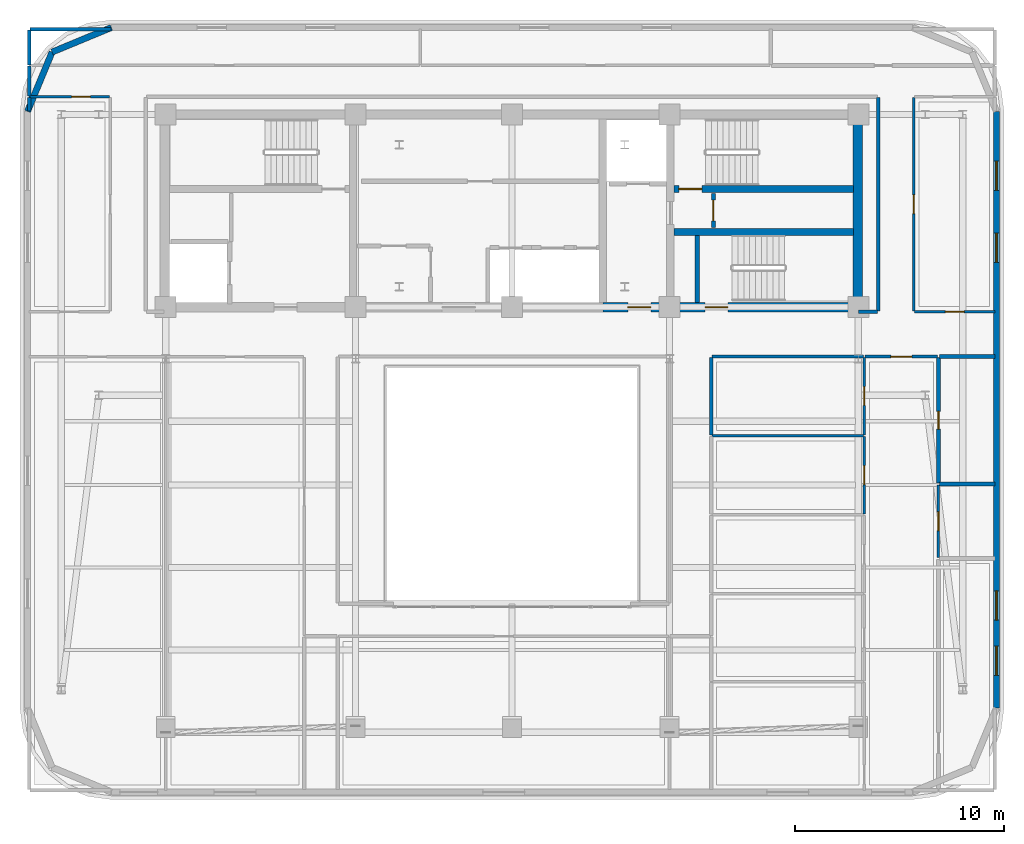
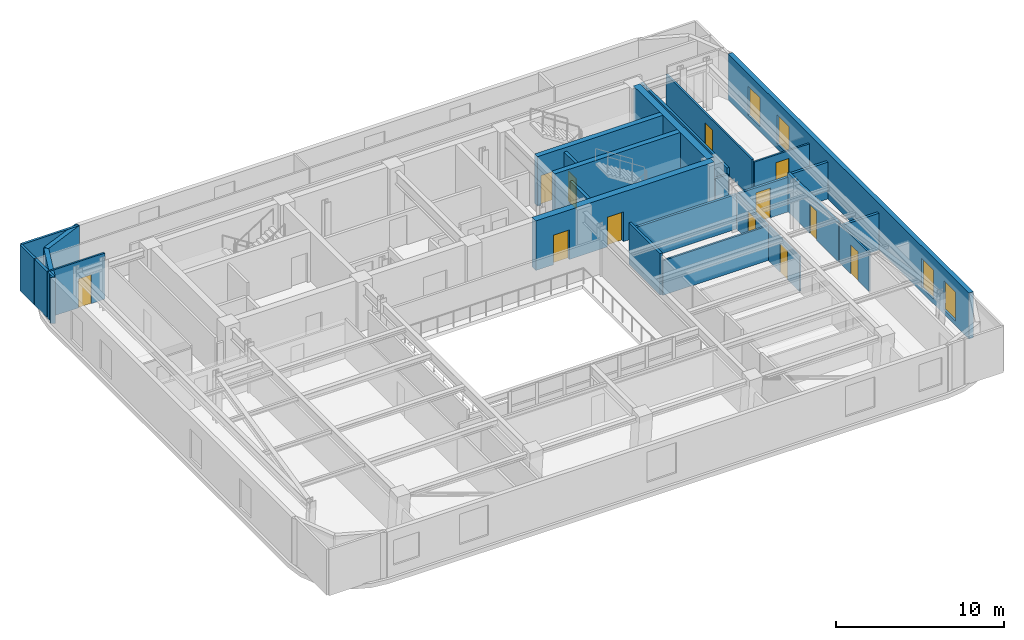
# One storey, part 8 of 13: 28 walls, 12 doors, 4 windows, 16 openings.
"""IFC4 building model written with IfcOpenShell, lengths in metres."""

from ifc_helpers import new_model, si_unit, direction, frame, frame_2d, origin, place, context, subcontext, project, spatial, rectangle, extrude, material, layer, layer_set, type_object, element, fill, save


model = new_model("IFC4")

# Units and contexts
model_context = context("Model", 3, precision=1e-05, world=origin(), true_north=direction((0.0, 1.0)))
body_context = subcontext(model_context, "Body", "Model", "MODEL_VIEW")
ifc_project = project(units=[si_unit("LENGTHUNIT", "METRE"), si_unit("AREAUNIT", "SQUARE_METRE"), si_unit("VOLUMEUNIT", "CUBIC_METRE"), si_unit("PLANEANGLEUNIT", "RADIAN"), si_unit("MASSUNIT", "GRAM", prefix="KILO")], contexts=[model_context])

# Site, building, storey
site_placement = place(None, origin())
site = spatial("IfcSite", under=ifc_project, at=site_placement, CompositionType="ELEMENT")
building_placement = place(site_placement, origin())
building = spatial("IfcBuilding", under=site, at=building_placement, Name="Zarnavel Station Tower", CompositionType="ELEMENT")
storey_placement = place(building_placement, frame((0.0, 0.0, 204.0)))
storey = spatial("IfcBuildingStorey", under=building, at=storey_placement, Name="L55", CompositionType="ELEMENT", Elevation=204.0)

# Wall, opening, door
ifc_material_1 = material(Name="Concrete C50/60", Category="concrete")
ifc_layer_1 = layer(ifc_material_1, 0.35009765625)
ifc_layer_set_1 = layer_set([ifc_layer_1], Name="CW_350")
wall_type_1 = type_object("IfcWallType", Name="CW_350", PredefinedType="SHEAR", material=ifc_layer_set_1)
wall_1_placement = place(storey_placement, frame((45.155029296875, 33.47998046875, 0.0), z_axis=(0.0, 0.0, 1.0), x_axis=(-1.0, 0.0, 0.0)))
wall_1 = element("IfcWall", 1, at=wall_1_placement, inside=storey, type_object=wall_type_1, Name="L55 Rear Core Shear Wall DIV-H2", PredefinedType="SHEAR", context=body_context, shape_type="SweptSolid", body=[
    extrude(rectangle(XDim=8.60009765625, YDim=0.35009765625, at=frame_2d((4.300048828125, 0.0))), origin(), (0.0, 0.0, 1.0), 3.60009765625),
])
opening_1_placement = place(wall_1_placement, frame((7.2548828125, 0.0, 0.0)))
opening_1 = element("IfcOpeningElement", 2, at=opening_1_placement, cuts=wall_1, Name="Opening FD01", PredefinedType="OPENING", context=body_context, shape_type="SweptSolid", body=[
    extrude(rectangle(XDim=1.10009765625, YDim=2.14990234375, at=frame_2d((0.550048828125, 1.074951171875))), frame((0.0, 0.18505859375, 0.0), z_axis=(0.0, -1.0, 0.0), x_axis=(1.0, 0.0, 0.0)), (0.0, 0.0, 1.0), 0.3701171875),
])
ifc_material_2 = material(Name="Painted Galvanised Steel and Hardwood Leaf", Category="steel")
door_type_1 = type_object("IfcDoorType", Name="ID_STAIR_1100", OperationType="NOTDEFINED", PredefinedType="DOOR", material=ifc_material_2)
door_1_placement = place(opening_1_placement, origin())
door_1 = element("IfcDoor", 3, at=door_1_placement, inside=storey, type_object=door_type_1, Name="L55 Stair ST2 Lobby Fire Door", OperationType="SINGLE_SWING_RIGHT", OverallHeight=2.14990234375, OverallWidth=1.10009765625, PredefinedType="DOOR", context=body_context, shape_type="SweptSolid", body=[
    extrude(rectangle(XDim=1.10009765625, YDim=2.14990234375, at=frame_2d((0.550048828125, 1.074951171875))), frame((0.0, 0.02490234375, 0.0), z_axis=(0.0, -1.0, 0.0), x_axis=(1.0, 0.0, 0.0)), (0.0, 0.0, 1.0), 0.050048828125),
])
fill(opening_1, door_1)

# Wall
wall_2_placement = place(storey_placement, frame((36.554931640625, 31.419921875, 0.0), z_axis=(0.0, 0.0, 1.0), x_axis=(1.0, 0.0, 0.0)))
element("IfcWall", 4, at=wall_2_placement, inside=storey, type_object=wall_type_1, Name="L55 Rear Core Shear Wall DIV-H3", PredefinedType="SHEAR", context=body_context, shape_type="SweptSolid", body=[
    extrude(rectangle(XDim=8.60009765625, YDim=0.35009765625, at=frame_2d((4.300048828125, 0.0))), origin(), (0.0, 0.0, 1.0), 3.60009765625),
])

# Wall, openings, doors
ifc_material_3 = material(Name="Concrete C50/60", Category="concrete")
ifc_layer_2 = layer(ifc_material_3, 0.449951171875)
ifc_layer_set_2 = layer_set([ifc_layer_2], Name="CW_450")
wall_type_2 = type_object("IfcWallType", Name="CW_450", PredefinedType="SHEAR", material=ifc_layer_set_2)
wall_3_placement = place(storey_placement, frame((45.3798828125, 27.820068359375, 0.0), z_axis=(0.0, 0.0, 1.0), x_axis=(-1.0, 0.0, 0.0)))
wall_3 = element("IfcWall", 5, at=wall_3_placement, inside=storey, type_object=wall_type_2, Name="L55 Rear Core Shear Wall S-E", PredefinedType="SHEAR", context=body_context, shape_type="SweptSolid", body=[
    extrude(rectangle(XDim=12.22998046875, YDim=0.449951171875, at=frame_2d((6.114990234375, 0.0))), origin(), (0.0, 0.0, 1.0), 3.60009765625),
])
opening_2_placement = place(wall_3_placement, frame((9.929931640625, 0.0, 0.0)))
opening_2 = element("IfcOpeningElement", 6, at=opening_2_placement, cuts=wall_3, Name="Opening FD01", PredefinedType="OPENING", context=body_context, shape_type="SweptSolid", body=[
    extrude(rectangle(XDim=1.10009765625, YDim=2.14990234375, at=frame_2d((0.550048828125, 1.074951171875))), frame((0.0, 0.23486328125, 0.0), z_axis=(0.0, -1.0, 0.0), x_axis=(1.0, 0.0, 0.0)), (0.0, 0.0, 1.0), 0.469970703125),
])
opening_3_placement = place(wall_3_placement, frame((6.22998046875, 0.0, 0.0)))
opening_3 = element("IfcOpeningElement", 7, at=opening_3_placement, cuts=wall_3, Name="Opening FD01", PredefinedType="OPENING", context=body_context, shape_type="SweptSolid", body=[
    extrude(rectangle(XDim=1.10009765625, YDim=2.14990234375, at=frame_2d((0.550048828125, 1.074951171875))), frame((0.0, 0.23486328125, 0.0), z_axis=(0.0, -1.0, 0.0), x_axis=(1.0, 0.0, 0.0)), (0.0, 0.0, 1.0), 0.469970703125),
])
door_2_placement = place(opening_2_placement, origin())
door_2 = element("IfcDoor", 8, at=door_2_placement, inside=storey, type_object=door_type_1, Name="L55 East Firefighting Lobby Door", OperationType="SINGLE_SWING_LEFT", OverallHeight=2.14990234375, OverallWidth=1.10009765625, PredefinedType="DOOR", context=body_context, shape_type="SweptSolid", body=[
    extrude(rectangle(XDim=1.10009765625, YDim=2.14990234375, at=frame_2d((0.550048828125, 1.074951171875))), frame((0.0, 0.02490234375, 0.0), z_axis=(0.0, -1.0, 0.0), x_axis=(1.0, 0.0, 0.0)), (0.0, 0.0, 1.0), 0.050048828125),
])
fill(opening_2, door_2)
door_3_placement = place(opening_3_placement, origin())
door_3 = element("IfcDoor", 9, at=door_3_placement, inside=storey, type_object=door_type_1, Name="L55 Stair ST3 Corridor Fire Door", OperationType="SINGLE_SWING_RIGHT", OverallHeight=2.14990234375, OverallWidth=1.10009765625, PredefinedType="DOOR", context=body_context, shape_type="SweptSolid", body=[
    extrude(rectangle(XDim=1.10009765625, YDim=2.14990234375, at=frame_2d((0.550048828125, 1.074951171875))), frame((0.0, 0.02490234375, 0.0), z_axis=(0.0, -1.0, 0.0), x_axis=(1.0, 0.0, 0.0)), (0.0, 0.0, 1.0), 0.050048828125),
])
fill(opening_3, door_3)

# Wall
wall_4_placement = place(storey_placement, frame((45.3798828125, 28.044921875, 0.0), z_axis=(0.0, 0.0, 1.0), x_axis=(0.0, 1.0, 0.0)))
element("IfcWall", 10, at=wall_4_placement, inside=storey, type_object=wall_type_2, Name="L55 Rear Core Shear Wall E", PredefinedType="SHEAR", context=body_context, shape_type="SweptSolid", body=[
    extrude(rectangle(XDim=8.780029296875, YDim=0.449951171875, at=frame_2d((4.39013671875, 0.0))), origin(), (0.0, 0.0, 1.0), 3.60009765625),
])

# Wall, openings, windows
ifc_material_4 = material(Name="Precast concrete C45/55 (Dark Basalt Finish)", Category="masonry")
ifc_layer_3 = layer(ifc_material_4, 0.300048828125)
ifc_layer_set_3 = layer_set([ifc_layer_3], Name="EW_BASALT_300")
wall_type_3 = type_object("IfcWallType", Name="EW_BASALT_300", PredefinedType="SOLIDWALL", material=ifc_layer_set_3)
wall_5_placement = place(storey_placement, frame((52.02001953125, 37.199951171875, 0.0), z_axis=(0.0, 0.0, 1.0), x_axis=(0.0, -1.0, 0.0)))
wall_5 = element("IfcWall", 11, at=wall_5_placement, inside=storey, type_object=wall_type_3, Name="L55 Exterior Basalt Masonry Frame Wall 03", PredefinedType="SOLIDWALL", context=body_context, shape_type="SweptSolid", body=[
    extrude(rectangle(XDim=28.599853515625, YDim=0.300048828125, at=frame_2d((14.2998046875, 0.0))), origin(), (0.0, 0.0, 1.0), 3.340087890625),
])
opening_4_placement = place(wall_5_placement, frame((2.3798828125, 0.0, 0.340087890625)))
opening_4 = element("IfcOpeningElement", 12, at=opening_4_placement, cuts=wall_5, Name="Opening WN04", PredefinedType="OPENING", context=body_context, shape_type="SweptSolid", body=[
    extrude(rectangle(XDim=1.39990234375, YDim=2.10009765625, at=frame_2d((0.699951171875, 1.050048828125))), frame((0.0, 0.159912109375, 0.0), z_axis=(0.0, -1.0, 0.0), x_axis=(1.0, 0.0, 0.0)), (0.0, 0.0, 1.0), 0.320068359375),
])
opening_5_placement = place(wall_5_placement, frame((5.840087890625, 0.0, 0.340087890625)))
opening_5 = element("IfcOpeningElement", 13, at=opening_5_placement, cuts=wall_5, Name="Opening WN04", PredefinedType="OPENING", context=body_context, shape_type="SweptSolid", body=[
    extrude(rectangle(XDim=1.39990234375, YDim=2.10009765625, at=frame_2d((0.699951171875, 1.050048828125))), frame((0.0, 0.159912109375, 0.0), z_axis=(0.0, -1.0, 0.0), x_axis=(1.0, 0.0, 0.0)), (0.0, 0.0, 1.0), 0.320068359375),
])
opening_6_placement = place(wall_5_placement, frame((22.979248046875, 0.0, 0.340087890625)))
opening_6 = element("IfcOpeningElement", 14, at=opening_6_placement, cuts=wall_5, Name="Opening WN04", PredefinedType="OPENING", context=body_context, shape_type="SweptSolid", body=[
    extrude(rectangle(XDim=1.39990234375, YDim=2.10009765625, at=frame_2d((0.699951171875, 1.050048828125))), frame((0.0, 0.159912109375, 0.0), z_axis=(0.0, -1.0, 0.0), x_axis=(1.0, 0.0, 0.0)), (0.0, 0.0, 1.0), 0.320068359375),
])
opening_7_placement = place(wall_5_placement, frame((25.629638671875, 0.0, 0.340087890625)))
opening_7 = element("IfcOpeningElement", 15, at=opening_7_placement, cuts=wall_5, Name="Opening WN04", PredefinedType="OPENING", context=body_context, shape_type="SweptSolid", body=[
    extrude(rectangle(XDim=1.39990234375, YDim=2.10009765625, at=frame_2d((0.699951171875, 1.050048828125))), frame((0.0, 0.159912109375, 0.0), z_axis=(0.0, -1.0, 0.0), x_axis=(1.0, 0.0, 0.0)), (0.0, 0.0, 1.0), 0.320068359375),
])
ifc_material_5 = material(Name="Thermally Broken Black Aluminium and Low-E Dark Glass", Category="aluminium")
window_type = type_object("IfcWindowType", Name="WN_1400x2100", PartitioningType="DOUBLE_PANEL_VERTICAL", PredefinedType="WINDOW", material=ifc_material_5)
window_1_placement = place(opening_4_placement, origin())
window_1 = element("IfcWindow", 16, at=window_1_placement, inside=storey, type_object=window_type, Name="L55 Recessed Facade Window 01", OverallHeight=2.10009765625, OverallWidth=1.39990234375, PartitioningType="SINGLE_PANEL", PredefinedType="WINDOW", context=body_context, shape_type="SweptSolid", body=[
    extrude(rectangle(XDim=1.39990234375, YDim=2.10009765625, at=frame_2d((0.699951171875, 1.050048828125))), frame((0.0, 0.030029296875, 0.0), z_axis=(0.0, -1.0, 0.0), x_axis=(1.0, 0.0, 0.0)), (0.0, 0.0, 1.0), 0.06005859375),
])
fill(opening_4, window_1)
window_2_placement = place(opening_5_placement, origin())
window_2 = element("IfcWindow", 17, at=window_2_placement, inside=storey, type_object=window_type, Name="L55 Recessed Facade Window 02", OverallHeight=2.10009765625, OverallWidth=1.39990234375, PartitioningType="SINGLE_PANEL", PredefinedType="WINDOW", context=body_context, shape_type="SweptSolid", body=[
    extrude(rectangle(XDim=1.39990234375, YDim=2.10009765625, at=frame_2d((0.699951171875, 1.050048828125))), frame((0.0, 0.030029296875, 0.0), z_axis=(0.0, -1.0, 0.0), x_axis=(1.0, 0.0, 0.0)), (0.0, 0.0, 1.0), 0.06005859375),
])
fill(opening_5, window_2)
window_3_placement = place(opening_6_placement, origin())
window_3 = element("IfcWindow", 18, at=window_3_placement, inside=storey, type_object=window_type, Name="L55 Recessed Facade Window 03", OverallHeight=2.10009765625, OverallWidth=1.39990234375, PartitioningType="SINGLE_PANEL", PredefinedType="WINDOW", context=body_context, shape_type="SweptSolid", body=[
    extrude(rectangle(XDim=1.39990234375, YDim=2.10009765625, at=frame_2d((0.699951171875, 1.050048828125))), frame((0.0, 0.030029296875, 0.0), z_axis=(0.0, -1.0, 0.0), x_axis=(1.0, 0.0, 0.0)), (0.0, 0.0, 1.0), 0.06005859375),
])
fill(opening_6, window_3)
window_4_placement = place(opening_7_placement, origin())
window_4 = element("IfcWindow", 19, at=window_4_placement, inside=storey, type_object=window_type, Name="L55 Recessed Facade Window 04", OverallHeight=2.10009765625, OverallWidth=1.39990234375, PartitioningType="SINGLE_PANEL", PredefinedType="WINDOW", context=body_context, shape_type="SweptSolid", body=[
    extrude(rectangle(XDim=1.39990234375, YDim=2.10009765625, at=frame_2d((0.699951171875, 1.050048828125))), frame((0.0, 0.030029296875, 0.0), z_axis=(0.0, -1.0, 0.0), x_axis=(1.0, 0.0, 0.0)), (0.0, 0.0, 1.0), 0.06005859375),
])
fill(opening_7, window_4)

# Walls
wall_6_placement = place(storey_placement, frame((6.75732421875, 40.04248046875, 0.0), z_axis=(0.0, 0.0, 1.0), x_axis=(0.923882414032, 0.382676475685, 0.0)))
element("IfcWall", 20, at=wall_6_placement, inside=storey, type_object=wall_type_3, Name="L55 Exterior Basalt Masonry Frame Wall 07", PredefinedType="SOLIDWALL", context=body_context, shape_type="SweptSolid", body=[
    extrude(rectangle(XDim=3.076904296875, YDim=0.300048828125, at=frame_2d((1.53857421875, 0.0))), origin(), (0.0, 0.0, 1.0), 3.340087890625),
])
wall_7_placement = place(storey_placement, frame((5.580078125, 37.199951171875, 0.0), z_axis=(0.0, 0.0, 1.0), x_axis=(0.382636798336, 0.92389884758, 0.0)))
element("IfcWall", 21, at=wall_7_placement, inside=storey, type_object=wall_type_3, Name="L55 Exterior Basalt Masonry Frame Wall 08", PredefinedType="SOLIDWALL", context=body_context, shape_type="SweptSolid", body=[
    extrude(rectangle(XDim=3.07666015625, YDim=0.300048828125, at=frame_2d((1.538330078125, 0.0))), origin(), (0.0, 0.0, 1.0), 3.340087890625),
])

# Wall, opening, door
ifc_material_6 = material(Name="Gypsum Twin-Stud Acoustic Fire Partition", Category="concrete")
ifc_layer_4 = layer(ifc_material_6, 0.159912109375)
ifc_layer_set_4 = layer_set([ifc_layer_4], Name="PT_DEMISE_160")
wall_type_4 = type_object("IfcWallType", Name="PT_DEMISE_160", PredefinedType="PARTITIONING", material=ifc_layer_set_4)
wall_8_placement = place(storey_placement, frame((45.720947265625, 25.449951171875, 0.0), z_axis=(0.0, 0.0, 1.0), x_axis=(1.0, 0.0, 0.0)))
wall_8 = element("IfcWall", 22, at=wall_8_placement, inside=storey, type_object=wall_type_4, Name="L55 Partition COR-S-UE1LV", PredefinedType="PARTITIONING", context=body_context, shape_type="SweptSolid", body=[
    extrude(rectangle(XDim=3.47900390625, YDim=0.159912109375, at=frame_2d((1.739501953125, 0.0))), origin(), (0.0, 0.0, 1.0), 2.52001953125),
])
opening_8_placement = place(wall_8_placement, frame((1.239501953125, 0.0, 0.0)))
opening_8 = element("IfcOpeningElement", 23, at=opening_8_placement, cuts=wall_8, Name="Opening FD02", PredefinedType="OPENING", context=body_context, shape_type="SweptSolid", body=[
    extrude(rectangle(XDim=1.0, YDim=2.14990234375, at=frame_2d((0.5, 1.074951171875))), frame((0.0, 0.08984375, 0.0), z_axis=(0.0, -1.0, 0.0), x_axis=(1.0, 0.0, 0.0)), (0.0, 0.0, 1.0), 0.179931640625),
])
ifc_material_7 = material(Name="Painted Galvanised Steel and Hardwood Leaf", Category="steel")
door_type_2 = type_object("IfcDoorType", Name="ID_ENTRY_1000", OperationType="NOTDEFINED", PredefinedType="DOOR", material=ifc_material_7)
door_4_placement = place(opening_8_placement, origin())
door_4 = element("IfcDoor", 24, at=door_4_placement, inside=storey, type_object=door_type_2, Name="L55 Door COR-S-UE1LV", OperationType="SINGLE_SWING_RIGHT", OverallHeight=2.14990234375, OverallWidth=1.0, PredefinedType="DOOR", context=body_context, shape_type="SweptSolid", body=[
    extrude(rectangle(XDim=1.0, YDim=2.14990234375, at=frame_2d((0.5, 1.074951171875))), frame((0.0, 0.02490234375, 0.0), z_axis=(0.0, -1.0, 0.0), x_axis=(1.0, 0.0, 0.0)), (0.0, 0.0, 1.0), 0.050048828125),
])
fill(opening_8, door_4)

# Walls
wall_9_placement = place(storey_placement, frame((38.389892578125, 25.449951171875, 0.0), z_axis=(0.0, 0.0, 1.0), x_axis=(1.0, 0.0, 0.0)))
element("IfcWall", 25, at=wall_9_placement, inside=storey, type_object=wall_type_4, Name="L55 Partition COR-S-UE1B5", PredefinedType="PARTITIONING", context=body_context, shape_type="SweptSolid", body=[
    extrude(rectangle(XDim=7.251220703125, YDim=0.159912109375, at=frame_2d((3.62548828125, 0.0))), origin(), (0.0, 0.0, 1.0), 2.52001953125),
])
wall_10_placement = place(storey_placement, frame((38.35009765625, 21.700927734375, 0.0), z_axis=(0.0, 0.0, 1.0), x_axis=(0.0, 1.0, 0.0)))
element("IfcWall", 26, at=wall_10_placement, inside=storey, type_object=wall_type_4, Name="L55 Partition COR-AE-UE1B5", PredefinedType="PARTITIONING", context=body_context, shape_type="SweptSolid", body=[
    extrude(rectangle(XDim=3.708984375, YDim=0.159912109375, at=frame_2d((1.8544921875, 0.0))), origin(), (0.0, 0.0, 1.0), 3.010009765625),
])
wall_11_placement = place(storey_placement, frame((45.409912109375, 27.60009765625, 0.0), z_axis=(0.0, 0.0, 1.0), x_axis=(1.0, 0.0, 0.0)))
element("IfcWall", 27, at=wall_11_placement, inside=storey, type_object=wall_type_4, Name="L55 Enclosure Wall COR-S", PredefinedType="PARTITIONING", context=body_context, shape_type="SweptSolid", body=[
    extrude(rectangle(XDim=0.91015625, YDim=0.159912109375, at=frame_2d((0.455078125, 0.0))), origin(), (0.0, 0.0, 1.0), 2.409912109375),
])
wall_12_placement = place(storey_placement, frame((46.35009765625, 27.6298828125, 0.0), z_axis=(0.0, 0.0, 1.0), x_axis=(0.0, 1.0, 0.0)))
element("IfcWall", 28, at=wall_12_placement, inside=storey, type_object=wall_type_4, Name="L55 Enclosure Wall COR-E", PredefinedType="PARTITIONING", context=body_context, shape_type="SweptSolid", body=[
    extrude(rectangle(XDim=10.240234375, YDim=0.159912109375, at=frame_2d((5.1201171875, 0.0))), origin(), (0.0, 0.0, 1.0), 2.820068359375),
])
wall_13_placement = place(storey_placement, frame((5.659912109375, 37.929931640625, 0.0), z_axis=(0.0, 0.0, 1.0), x_axis=(0.0, 1.0, 0.0)))
element("IfcWall", 29, at=wall_13_placement, inside=storey, type_object=wall_type_4, Name="L55 Enclosure Wall COR-N", PredefinedType="PARTITIONING", context=body_context, shape_type="SweptSolid", body=[
    extrude(rectangle(XDim=1.440185546875, YDim=0.159912109375, at=frame_2d((0.72021484375, 0.0))), origin(), (0.0, 0.0, 1.0), 3.340087890625),
])
wall_14_placement = place(storey_placement, frame((5.659912109375, 37.22998046875, 0.0), z_axis=(0.0, 0.0, 1.0), x_axis=(0.0, 1.0, 0.0)))
element("IfcWall", 30, at=wall_14_placement, inside=storey, type_object=wall_type_4, Name="L55 Enclosure Wall FNW", PredefinedType="PARTITIONING", context=body_context, shape_type="SweptSolid", body=[
    extrude(rectangle(XDim=0.64013671875, YDim=0.159912109375, at=frame_2d((0.320068359375, 0.0))), origin(), (0.0, 0.0, 1.0), 3.340087890625),
])
wall_15_placement = place(storey_placement, frame((5.68994140625, 41.139892578125, 0.0), z_axis=(0.0, 0.0, 1.0), x_axis=(1.0, 0.0, 0.0)))
element("IfcWall", 31, at=wall_15_placement, inside=storey, type_object=wall_type_4, Name="L55 Enclosure Wall NLIB", PredefinedType="PARTITIONING", context=body_context, shape_type="SweptSolid", body=[
    extrude(rectangle(XDim=3.880126953125, YDim=0.159912109375, at=frame_2d((1.93994140625, 0.0))), origin(), (0.0, 0.0, 1.0), 3.340087890625),
])
wall_16_placement = place(storey_placement, frame((5.659912109375, 39.429931640625, 0.0), z_axis=(0.0, 0.0, 1.0), x_axis=(0.0, 1.0, 0.0)))
element("IfcWall", 32, at=wall_16_placement, inside=storey, type_object=wall_type_4, Name="L55 Enclosure Wall NLIB", PredefinedType="PARTITIONING", context=body_context, shape_type="SweptSolid", body=[
    extrude(rectangle(XDim=1.68017578125, YDim=0.159912109375, at=frame_2d((0.840087890625, 0.0))), origin(), (0.0, 0.0, 1.0), 3.340087890625),
])

# Wall, opening, door
ifc_material_8 = material(Name="Gypsum Metal-Stud Interior Partition", Category="concrete")
ifc_layer_5 = layer(ifc_material_8, 0.1201171875)
ifc_layer_set_5 = layer_set([ifc_layer_5], Name="PT_ROOM_120")
wall_type_5 = type_object("IfcWallType", Name="PT_ROOM_120", PredefinedType="PARTITIONING", material=ifc_layer_set_5)
wall_17_placement = place(storey_placement, frame((48.090087890625, 27.60009765625, 0.0), z_axis=(0.0, 0.0, 1.0), x_axis=(1.0, 0.0, 0.0)))
wall_17 = element("IfcWall", 33, at=wall_17_placement, inside=storey, type_object=wall_type_5, Name="L55 Partition COR-S-FNE", PredefinedType="PARTITIONING", context=body_context, shape_type="SweptSolid", body=[
    extrude(rectangle(XDim=3.849853515625, YDim=0.1201171875, at=frame_2d((1.9248046875, 0.0))), origin(), (0.0, 0.0, 1.0), 2.669921875),
])
opening_9_placement = place(wall_17_placement, frame((1.47509765625, 0.0, 0.0)))
opening_9 = element("IfcOpeningElement", 34, at=opening_9_placement, cuts=wall_17, Name="Opening ID01", PredefinedType="OPENING", context=body_context, shape_type="SweptSolid", body=[
    extrude(rectangle(XDim=0.89990234375, YDim=2.10009765625, at=frame_2d((0.449951171875, 1.050048828125))), frame((0.0, 0.070068359375, 0.0), z_axis=(0.0, -1.0, 0.0), x_axis=(1.0, 0.0, 0.0)), (0.0, 0.0, 1.0), 0.14013671875),
])
ifc_material_9 = material(Name="Painted Galvanised Steel and Hardwood Leaf", Category="steel")
door_type_3 = type_object("IfcDoorType", Name="ID_ROOM_900", OperationType="NOTDEFINED", PredefinedType="DOOR", material=ifc_material_9)
door_5_placement = place(opening_9_placement, origin())
door_5 = element("IfcDoor", 35, at=door_5_placement, inside=storey, type_object=door_type_3, Name="L55 Door COR-S-FNE", OperationType="SINGLE_SWING_LEFT", OverallHeight=2.10009765625, OverallWidth=0.89990234375, PredefinedType="DOOR", context=body_context, shape_type="SweptSolid", body=[
    extrude(rectangle(XDim=0.89990234375, YDim=2.10009765625, at=frame_2d((0.449951171875, 1.050048828125))), frame((0.0, 0.02490234375, 0.0), z_axis=(0.0, -1.0, 0.0), x_axis=(1.0, 0.0, 0.0)), (0.0, 0.0, 1.0), 0.050048828125),
])
fill(opening_9, door_5)

wall_18_placement = place(storey_placement, frame((48.050048828125, 27.639892578125, 0.0), z_axis=(0.0, 0.0, 1.0), x_axis=(0.0, 1.0, 0.0)))
wall_18 = element("IfcWall", 36, at=wall_18_placement, inside=storey, type_object=wall_type_5, Name="L55 Partition COR-E-FNE", PredefinedType="PARTITIONING", context=body_context, shape_type="SweptSolid", body=[
    extrude(rectangle(XDim=10.22021484375, YDim=0.1201171875, at=frame_2d((5.110107421875, 0.0))), origin(), (0.0, 0.0, 1.0), 2.820068359375),
])
opening_10_placement = place(wall_18_placement, frame((4.659912109375, 0.0, 0.0)))
opening_10 = element("IfcOpeningElement", 37, at=opening_10_placement, cuts=wall_18, Name="Opening ID01", PredefinedType="OPENING", context=body_context, shape_type="SweptSolid", body=[
    extrude(rectangle(XDim=0.89990234375, YDim=2.10009765625, at=frame_2d((0.449951171875, 1.050048828125))), frame((0.0, 0.070068359375, 0.0), z_axis=(0.0, -1.0, 0.0), x_axis=(1.0, 0.0, 0.0)), (0.0, 0.0, 1.0), 0.14013671875),
])
door_6_placement = place(opening_10_placement, origin())
door_6 = element("IfcDoor", 38, at=door_6_placement, inside=storey, type_object=door_type_3, Name="L55 Door COR-E-FNE", OperationType="SINGLE_SWING_RIGHT", OverallHeight=2.10009765625, OverallWidth=0.89990234375, PredefinedType="DOOR", context=body_context, shape_type="SweptSolid", body=[
    extrude(rectangle(XDim=0.89990234375, YDim=2.10009765625, at=frame_2d((0.449951171875, 1.050048828125))), frame((0.0, 0.02490234375, 0.0), z_axis=(0.0, -1.0, 0.0), x_axis=(1.0, 0.0, 0.0)), (0.0, 0.0, 1.0), 0.050048828125),
])
fill(opening_10, door_6)

wall_19_placement = place(storey_placement, frame((5.659912109375, 37.89990234375, 0.0), z_axis=(0.0, 0.0, 1.0), x_axis=(1.0, 0.0, 0.0)))
wall_19 = element("IfcWall", 39, at=wall_19_placement, inside=storey, type_object=wall_type_5, Name="L55 Partition COR-N-FNW", PredefinedType="PARTITIONING", context=body_context, shape_type="SweptSolid", body=[
    extrude(rectangle(XDim=3.85009765625, YDim=0.1201171875, at=frame_2d((1.925048828125, 0.0))), origin(), (0.0, 0.0, 1.0), 3.340087890625),
])
opening_11_placement = place(wall_19_placement, frame((2.03125, 0.0, 0.0)))
opening_11 = element("IfcOpeningElement", 40, at=opening_11_placement, cuts=wall_19, Name="Opening ID01", PredefinedType="OPENING", context=body_context, shape_type="SweptSolid", body=[
    extrude(rectangle(XDim=0.89990234375, YDim=2.10009765625, at=frame_2d((0.449951171875, 1.050048828125))), frame((0.0, 0.070068359375, 0.0), z_axis=(0.0, -1.0, 0.0), x_axis=(1.0, 0.0, 0.0)), (0.0, 0.0, 1.0), 0.14013671875),
])
door_7_placement = place(opening_11_placement, origin())
door_7 = element("IfcDoor", 41, at=door_7_placement, inside=storey, type_object=door_type_3, Name="L55 Door COR-N-FNW", OperationType="SINGLE_SWING_LEFT", OverallHeight=2.10009765625, OverallWidth=0.89990234375, PredefinedType="DOOR", context=body_context, shape_type="SweptSolid", body=[
    extrude(rectangle(XDim=0.89990234375, YDim=2.10009765625, at=frame_2d((0.449951171875, 1.050048828125))), frame((0.0, 0.02490234375, 0.0), z_axis=(0.0, -1.0, 0.0), x_axis=(1.0, 0.0, 0.0)), (0.0, 0.0, 1.0), 0.050048828125),
])
fill(opening_11, door_7)

wall_20_placement = place(storey_placement, frame((49.239990234375, 15.81103515625, 0.0), z_axis=(0.0, 0.0, 1.0), x_axis=(0.0, 1.0, 0.0)))
wall_20 = element("IfcWall", 42, at=wall_20_placement, inside=storey, type_object=wall_type_5, Name="L55 Partition UE1LV-UE1UT", PredefinedType="PARTITIONING", context=body_context, shape_type="SweptSolid", body=[
    extrude(rectangle(XDim=3.488037109375, YDim=0.1201171875, at=frame_2d((1.744140625, 0.0))), origin(), (0.0, 0.0, 1.0), 2.820068359375),
])
opening_12_placement = place(wall_20_placement, frame((1.2939453125, 0.0, 0.0)))
opening_12 = element("IfcOpeningElement", 43, at=opening_12_placement, cuts=wall_20, Name="Opening ID01", PredefinedType="OPENING", context=body_context, shape_type="SweptSolid", body=[
    extrude(rectangle(XDim=0.89990234375, YDim=2.10009765625, at=frame_2d((0.449951171875, 1.050048828125))), frame((0.0, 0.070068359375, 0.0), z_axis=(0.0, -1.0, 0.0), x_axis=(1.0, 0.0, 0.0)), (0.0, 0.0, 1.0), 0.14013671875),
])
door_8_placement = place(opening_12_placement, origin())
door_8 = element("IfcDoor", 44, at=door_8_placement, inside=storey, type_object=door_type_3, Name="L55 Door UE1LV-UE1UT", OperationType="SINGLE_SWING_LEFT", OverallHeight=2.10009765625, OverallWidth=0.89990234375, PredefinedType="DOOR", context=body_context, shape_type="SweptSolid", body=[
    extrude(rectangle(XDim=0.89990234375, YDim=2.10009765625, at=frame_2d((0.449951171875, 1.050048828125))), frame((0.0, 0.02490234375, 0.0), z_axis=(0.0, -1.0, 0.0), x_axis=(1.0, 0.0, 0.0)), (0.0, 0.0, 1.0), 0.050048828125),
])
fill(opening_12, door_8)

wall_21_placement = place(storey_placement, frame((45.680908203125, 17.9130859375, 0.0), z_axis=(0.0, 0.0, 1.0), x_axis=(0.0, 1.0, 0.0)))
wall_21 = element("IfcWall", 45, at=wall_21_placement, inside=storey, type_object=wall_type_5, Name="L55 Partition UE1LV-UE1B4", PredefinedType="PARTITIONING", context=body_context, shape_type="SweptSolid", body=[
    extrude(rectangle(XDim=3.7080078125, YDim=0.1201171875, at=frame_2d((1.85400390625, 0.0))), origin(), (0.0, 0.0, 1.0), 2.52001953125),
])
opening_13_placement = place(wall_21_placement, frame((1.404052734375, 0.0, 0.0)))
opening_13 = element("IfcOpeningElement", 46, at=opening_13_placement, cuts=wall_21, Name="Opening ID01", PredefinedType="OPENING", context=body_context, shape_type="SweptSolid", body=[
    extrude(rectangle(XDim=0.89990234375, YDim=2.10009765625, at=frame_2d((0.449951171875, 1.050048828125))), frame((0.0, 0.070068359375, 0.0), z_axis=(0.0, -1.0, 0.0), x_axis=(1.0, 0.0, 0.0)), (0.0, 0.0, 1.0), 0.14013671875),
])
door_9_placement = place(opening_13_placement, origin())
door_9 = element("IfcDoor", 47, at=door_9_placement, inside=storey, type_object=door_type_3, Name="L55 Door UE1LV-UE1B4", OperationType="SINGLE_SWING_RIGHT", OverallHeight=2.10009765625, OverallWidth=0.89990234375, PredefinedType="DOOR", context=body_context, shape_type="SweptSolid", body=[
    extrude(rectangle(XDim=0.89990234375, YDim=2.10009765625, at=frame_2d((0.449951171875, 1.050048828125))), frame((0.0, 0.02490234375, 0.0), z_axis=(0.0, -1.0, 0.0), x_axis=(1.0, 0.0, 0.0)), (0.0, 0.0, 1.0), 0.050048828125),
])
fill(opening_13, door_9)

wall_22_placement = place(storey_placement, frame((45.680908203125, 21.700927734375, 0.0), z_axis=(0.0, 0.0, 1.0), x_axis=(0.0, 1.0, 0.0)))
wall_22 = element("IfcWall", 48, at=wall_22_placement, inside=storey, type_object=wall_type_5, Name="L55 Partition UE1LV-UE1B5", PredefinedType="PARTITIONING", context=body_context, shape_type="SweptSolid", body=[
    extrude(rectangle(XDim=3.708984375, YDim=0.1201171875, at=frame_2d((1.8544921875, 0.0))), origin(), (0.0, 0.0, 1.0), 2.52001953125),
])
opening_14_placement = place(wall_22_placement, frame((1.404541015625, 0.0, 0.0)))
opening_14 = element("IfcOpeningElement", 49, at=opening_14_placement, cuts=wall_22, Name="Opening ID01", PredefinedType="OPENING", context=body_context, shape_type="SweptSolid", body=[
    extrude(rectangle(XDim=0.89990234375, YDim=2.10009765625, at=frame_2d((0.449951171875, 1.050048828125))), frame((0.0, 0.070068359375, 0.0), z_axis=(0.0, -1.0, 0.0), x_axis=(1.0, 0.0, 0.0)), (0.0, 0.0, 1.0), 0.14013671875),
])
door_10_placement = place(opening_14_placement, origin())
door_10 = element("IfcDoor", 50, at=door_10_placement, inside=storey, type_object=door_type_3, Name="L55 Door UE1LV-UE1B5", OperationType="SINGLE_SWING_LEFT", OverallHeight=2.10009765625, OverallWidth=0.89990234375, PredefinedType="DOOR", context=body_context, shape_type="SweptSolid", body=[
    extrude(rectangle(XDim=0.89990234375, YDim=2.10009765625, at=frame_2d((0.449951171875, 1.050048828125))), frame((0.0, 0.02490234375, 0.0), z_axis=(0.0, -1.0, 0.0), x_axis=(1.0, 0.0, 0.0)), (0.0, 0.0, 1.0), 0.050048828125),
])
fill(opening_14, door_10)

# Walls
wall_23_placement = place(storey_placement, frame((38.389892578125, 21.660888671875, 0.0), z_axis=(0.0, 0.0, 1.0), x_axis=(1.0, 0.0, 0.0)))
element("IfcWall", 51, at=wall_23_placement, inside=storey, type_object=wall_type_5, Name="L55 Partition UE1B4-UE1B5", PredefinedType="PARTITIONING", context=body_context, shape_type="SweptSolid", body=[
    extrude(rectangle(XDim=7.251220703125, YDim=0.1201171875, at=frame_2d((3.62548828125, 0.0))), origin(), (0.0, 0.0, 1.0), 2.52001953125),
])
ifc_material_10 = material(Name="Precast concrete C45/55 (Fire Shaft Blockwork)", Category="masonry")
ifc_layer_6 = layer(ifc_material_10, 0.199951171875)
ifc_layer_set_6 = layer_set([ifc_layer_6], Name="PT_SHAFT_200")
wall_type_6 = type_object("IfcWallType", Name="PT_SHAFT_200", PredefinedType="PARTITIONING", material=ifc_layer_set_6)
wall_24_placement = place(storey_placement, frame((37.679931640625, 28.044921875, 0.0), z_axis=(0.0, 0.0, 1.0), x_axis=(0.0, 1.0, 0.0)))
element("IfcWall", 52, at=wall_24_placement, inside=storey, type_object=wall_type_6, Name="L55 Stair ST3 West Shaft Wall", PredefinedType="PARTITIONING", context=body_context, shape_type="SweptSolid", body=[
    extrude(rectangle(XDim=3.205078125, YDim=0.199951171875, at=frame_2d((1.6025390625, 0.0))), origin(), (0.0, 0.0, 1.0), 2.719970703125),
])

# Wall, opening, door
wall_25_placement = place(storey_placement, frame((38.449951171875, 31.639892578125, 0.0), z_axis=(0.0, 0.0, 1.0), x_axis=(0.0, 1.0, 0.0)))
wall_25 = element("IfcWall", 53, at=wall_25_placement, inside=storey, type_object=wall_type_6, Name="L55 Partition ESTV-CEA", PredefinedType="PARTITIONING", context=body_context, shape_type="SweptSolid", body=[
    extrude(rectangle(XDim=1.6201171875, YDim=0.199951171875, at=frame_2d((0.81005859375, 0.0))), origin(), (0.0, 0.0, 1.0), 3.340087890625),
])
opening_15_placement = place(wall_25_placement, frame((0.31005859375, 0.0, 0.0)))
opening_15 = element("IfcOpeningElement", 54, at=opening_15_placement, cuts=wall_25, Name="Opening FD02", PredefinedType="OPENING", context=body_context, shape_type="SweptSolid", body=[
    extrude(rectangle(XDim=1.0, YDim=2.14990234375, at=frame_2d((0.5, 1.074951171875))), frame((0.0, 0.10986328125, 0.0), z_axis=(0.0, -1.0, 0.0), x_axis=(1.0, 0.0, 0.0)), (0.0, 0.0, 1.0), 0.219970703125),
])
door_11_placement = place(opening_15_placement, origin())
door_11 = element("IfcDoor", 55, at=door_11_placement, inside=storey, type_object=door_type_2, Name="L55 Door ESTV-CEA", OperationType="SINGLE_SWING_RIGHT", OverallHeight=2.14990234375, OverallWidth=1.0, PredefinedType="DOOR", context=body_context, shape_type="SweptSolid", body=[
    extrude(rectangle(XDim=1.0, YDim=2.14990234375, at=frame_2d((0.5, 1.074951171875))), frame((0.0, 0.02490234375, 0.0), z_axis=(0.0, -1.0, 0.0), x_axis=(1.0, 0.0, 0.0)), (0.0, 0.0, 1.0), 0.050048828125),
])
fill(opening_15, door_11)

# Wall
ifc_material_11 = material(Name="Moisture-Resistant Plumbing Chase Wall", Category="concrete")
ifc_layer_7 = layer(ifc_material_11, 0.179931640625)
ifc_layer_set_7 = layer_set([ifc_layer_7], Name="PW_PLUMB_180")
wall_type_7 = type_object("IfcWallType", Name="PW_PLUMB_180", PredefinedType="PLUMBINGWALL", material=ifc_layer_set_7)
wall_26_placement = place(storey_placement, frame((49.280029296875, 25.449951171875, 0.0), z_axis=(0.0, 0.0, 1.0), x_axis=(1.0, 0.0, 0.0)))
element("IfcWall", 56, at=wall_26_placement, inside=storey, type_object=wall_type_7, Name="L55 Partition COR-S-UE1BA", PredefinedType="PLUMBINGWALL", context=body_context, shape_type="SweptSolid", body=[
    extrude(rectangle(XDim=2.659912109375, YDim=0.179931640625, at=frame_2d((1.330078125, 0.0))), origin(), (0.0, 0.0, 1.0), 2.669921875),
])

# Wall, opening, door
wall_27_placement = place(storey_placement, frame((49.239990234375, 19.37890625, 0.0), z_axis=(0.0, 0.0, 1.0), x_axis=(0.0, 1.0, 0.0)))
wall_27 = element("IfcWall", 57, at=wall_27_placement, inside=storey, type_object=wall_type_7, Name="L55 Partition UE1LV-UE1BA", PredefinedType="PLUMBINGWALL", context=body_context, shape_type="SweptSolid", body=[
    extrude(rectangle(XDim=6.031005859375, YDim=0.179931640625, at=frame_2d((3.015625, 0.0))), origin(), (0.0, 0.0, 1.0), 2.820068359375),
])
opening_16_placement = place(wall_27_placement, frame((2.590576171875, 0.0, 0.0)))
opening_16 = element("IfcOpeningElement", 58, at=opening_16_placement, cuts=wall_27, Name="Opening ID02", PredefinedType="OPENING", context=body_context, shape_type="SweptSolid", body=[
    extrude(rectangle(XDim=0.85009765625, YDim=2.10009765625, at=frame_2d((0.425048828125, 1.050048828125))), frame((0.0, 0.099853515625, 0.0), z_axis=(0.0, -1.0, 0.0), x_axis=(1.0, 0.0, 0.0)), (0.0, 0.0, 1.0), 0.199951171875),
])
ifc_material_12 = material(Name="Painted Galvanised Steel and Hardwood Leaf", Category="steel")
door_type_4 = type_object("IfcDoorType", Name="ID_BATH_850", OperationType="NOTDEFINED", PredefinedType="DOOR", material=ifc_material_12)
door_12_placement = place(opening_16_placement, origin())
door_12 = element("IfcDoor", 59, at=door_12_placement, inside=storey, type_object=door_type_4, Name="L55 Door UE1LV-UE1BA", OperationType="SINGLE_SWING_RIGHT", OverallHeight=2.10009765625, OverallWidth=0.85009765625, PredefinedType="DOOR", context=body_context, shape_type="SweptSolid", body=[
    extrude(rectangle(XDim=0.85009765625, YDim=2.10009765625, at=frame_2d((0.425048828125, 1.050048828125))), frame((0.0, 0.02490234375, 0.0), z_axis=(0.0, -1.0, 0.0), x_axis=(1.0, 0.0, 0.0)), (0.0, 0.0, 1.0), 0.050048828125),
])
fill(opening_16, door_12)

# Wall
wall_28_placement = place(storey_placement, frame((49.280029296875, 19.339111328125, 0.0), z_axis=(0.0, 0.0, 1.0), x_axis=(1.0, 0.0, 0.0)))
element("IfcWall", 60, at=wall_28_placement, inside=storey, type_object=wall_type_7, Name="L55 Partition UE1UT-UE1BA", PredefinedType="PLUMBINGWALL", context=body_context, shape_type="SweptSolid", body=[
    extrude(rectangle(XDim=2.659912109375, YDim=0.179931640625, at=frame_2d((1.330078125, 0.0))), origin(), (0.0, 0.0, 1.0), 2.669921875),
])

save(model, "model.ifc")
